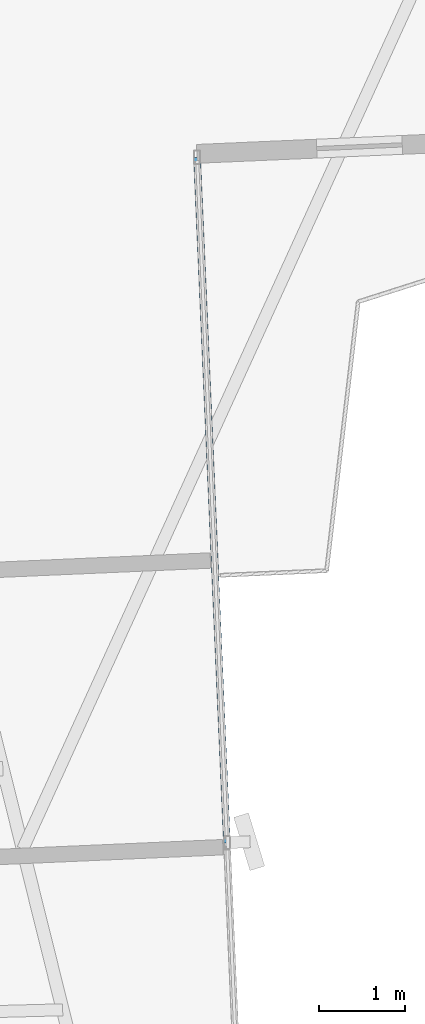
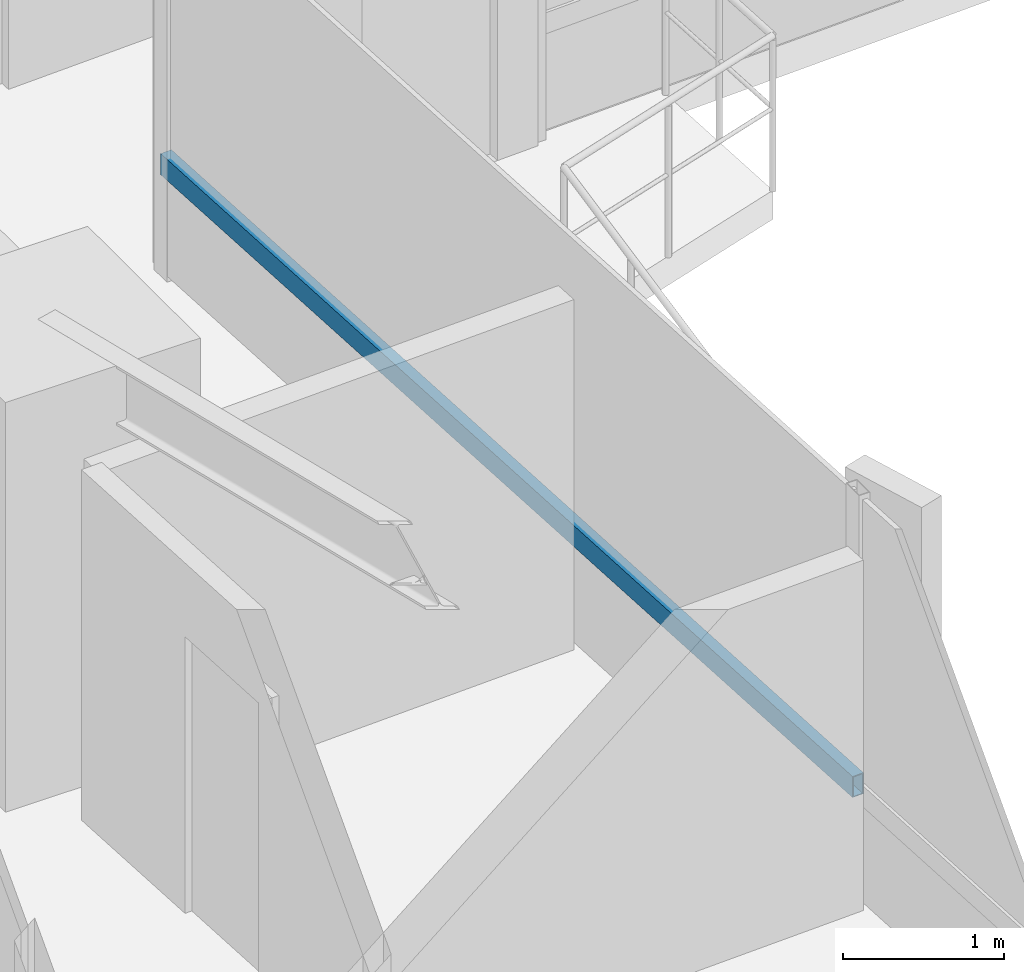
# One storey, part 7 of 26: 1 member, 1 element without a shape of its own.
"""IFC4 building model written with IfcOpenShell, lengths in metres."""

from ifc_helpers import new_model, si_unit, direction, frame, origin, origin_2d, place, context, subcontext, project, spatial, hollow_rectangle, extrude, source, transform, mapped, material, material_profile, profile_set, type_object, element, aggregate, save


model = new_model("IFC4")

# Units and contexts
model_context = context("Model", 3, precision=1e-05, world=origin(), true_north=direction((0.0, 1.0)))
body_context = subcontext(model_context, "Body", "Model", "MODEL_VIEW")
ifc_project = project(units=[si_unit("LENGTHUNIT", "METRE"), si_unit("AREAUNIT", "SQUARE_METRE"), si_unit("VOLUMEUNIT", "CUBIC_METRE"), si_unit("PLANEANGLEUNIT", "RADIAN"), si_unit("MASSUNIT", "GRAM", prefix="KILO")], contexts=[model_context])

# Site, building, storey
site_placement = place(None, origin())
site = spatial("IfcSite", under=ifc_project, at=site_placement, CompositionType="ELEMENT")
building_placement = place(site_placement, origin())
building = spatial("IfcBuilding", under=site, at=building_placement, Name="Sahyath Konkavel Grand Hotel", CompositionType="ELEMENT")
storey_placement = place(building_placement, frame((0.0, 0.0, 124.85009765625)))
storey = spatial("IfcBuildingStorey", under=building, at=storey_placement, Name="L34", CompositionType="ELEMENT", Elevation=124.85009765625)

# Curtain wall, member
ifc_material_1 = material(Name="Anodised Bronze Aluminium & Low-E Glazing", Category="aluminium")
curtain_wall_type = type_object("IfcCurtainWallType", Name="CW-ZONE2", PredefinedType="NOTDEFINED", material=ifc_material_1)
curtain_wall_placement = place(storey_placement, origin())
curtain_wall = element("IfcCurtainWall", 1, at=curtain_wall_placement, inside=storey, type_object=curtain_wall_type, Name="L34 Unitised Curtain Wall F31", PredefinedType="NOTDEFINED")
ifc_material_2 = material(Name="Anodised Bronze Aluminium", Category="aluminium")
ifc_material_profile = material_profile(ifc_material_2, hollow_rectangle(XDim=0.080078125, YDim=0.159912109375, WallThickness=0.006103515625, at=origin_2d()), Name="RHS 160x80x6")
ifc_profile_set = profile_set([ifc_material_profile], Name="Anodised Bronze Aluminium")
member_type = type_object("IfcMemberType", Name="CW-TRN-160", PredefinedType="USERDEFINED", material=ifc_profile_set)
shared_shape = source(origin(), body_context, "Body", "SweptSolid", [
    extrude(hollow_rectangle(XDim=0.080078125, YDim=0.159912109375, WallThickness=0.006103515625, at=origin_2d()), origin(), (0.0, 0.0, 1.0), 8.010009765625),
])
member_placement = place(storey_placement, frame((7.232666015625, -14.34814453125, 0.849853515625), z_axis=(-0.043615785896, 0.999048378819, 0.0), x_axis=(-0.999048378819, -0.043615785896, 0.0)))
member = element("IfcMember", 2, at=member_placement, type_object=member_type, Name="L34 Curtain Wall Transom F31-1-spandrel", ObjectType="TRANSOM", PredefinedType="USERDEFINED", context=body_context, shape_type="MappedRepresentation", body=[
    mapped(shared_shape, transform((0.0, 0.0, 0.0), scale=1.0)),
])
aggregate(curtain_wall, [member])

save(model, "model.ifc")
